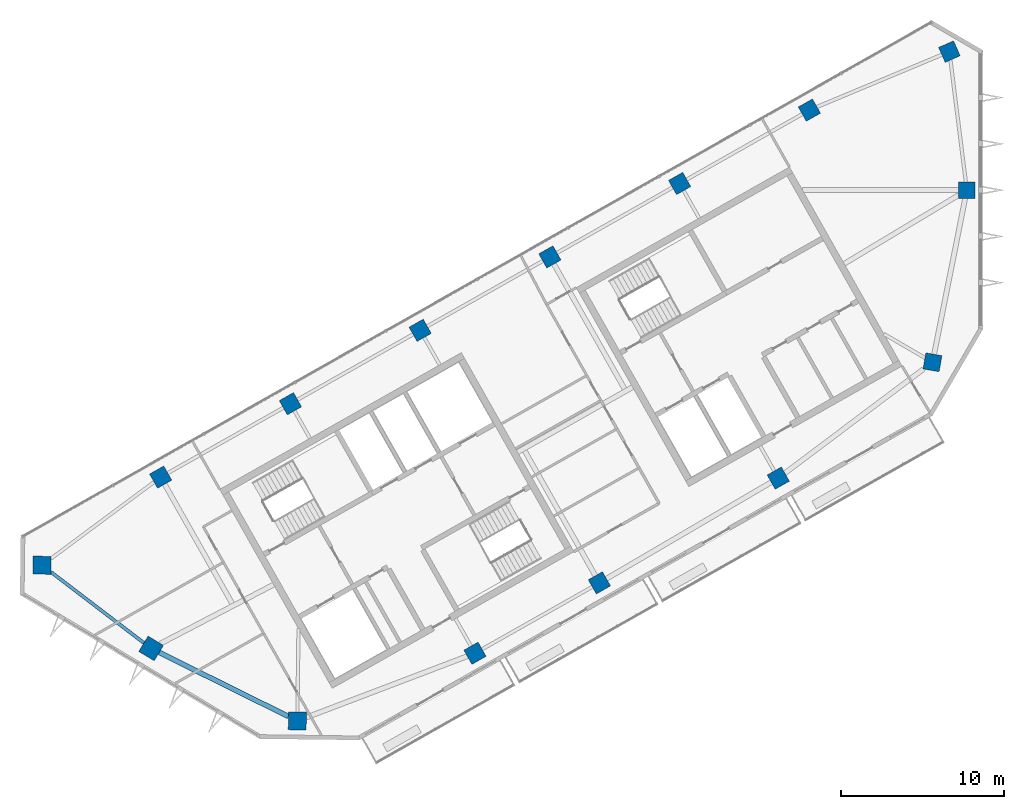
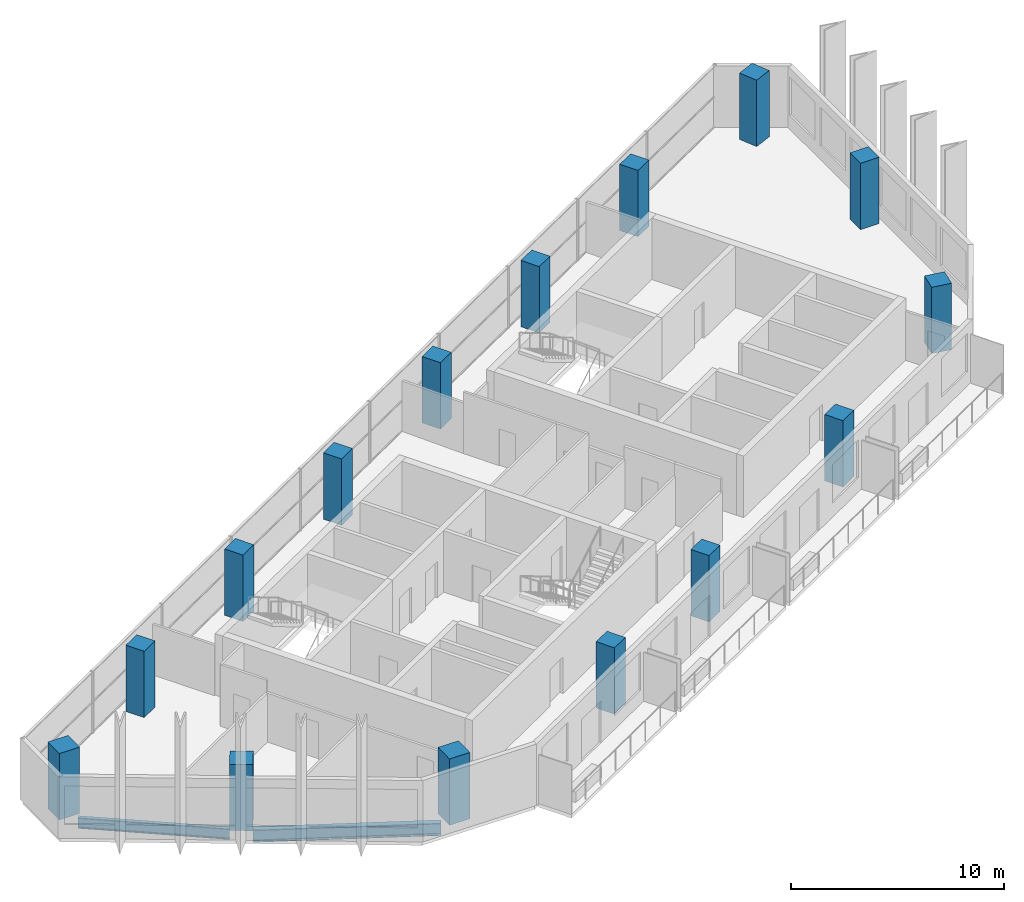
# One storey, part 1 of 10: 15 columns, 2 beams.
"""IFC4 building model written with IfcOpenShell, lengths in metres."""

from ifc_helpers import new_model, si_unit, direction, frame, origin, origin_2d, place, context, subcontext, project, spatial, rectangle, i_section, extrude, material, material_profile, profile_set, type_object, element, save


model = new_model("IFC4")

# Units and contexts
model_context = context("Model", 3, precision=1e-05, world=origin(), true_north=direction((0.0, 1.0)))
body_context = subcontext(model_context, "Body", "Model", "MODEL_VIEW")
ifc_project = project(units=[si_unit("LENGTHUNIT", "METRE"), si_unit("AREAUNIT", "SQUARE_METRE"), si_unit("VOLUMEUNIT", "CUBIC_METRE"), si_unit("PLANEANGLEUNIT", "RADIAN"), si_unit("MASSUNIT", "GRAM", prefix="KILO")], contexts=[model_context])

# Site, building, storey
site_placement = place(None, origin())
site = spatial("IfcSite", under=ifc_project, at=site_placement, CompositionType="ELEMENT")
building_placement = place(site_placement, origin())
building = spatial("IfcBuilding", under=site, at=building_placement, Name="Binnacle Exchange Tower", CompositionType="ELEMENT")
storey_placement = place(building_placement, frame((0.0, 0.0, 339.300048828125)))
storey = spatial("IfcBuildingStorey", under=building, at=storey_placement, Name="L77", CompositionType="ELEMENT", Elevation=339.300048828125)

# Columns
ifc_material_1 = material(Name="Concrete C50/60", Category="concrete")
ifc_material_profile_1 = material_profile(ifc_material_1, rectangle(XDim=1.0, YDim=1.0, at=origin_2d()), Name="Mega column 1000x1000 C50/60")
ifc_profile_set_1 = profile_set([ifc_material_profile_1], Name="Concrete C50/60")
column_type_1 = type_object("IfcColumnType", Name="Mega column 1000x1000 C50/60", PredefinedType="COLUMN", material=ifc_profile_set_1)
for number, where, z_axis, x_axis, name in (
    (1, (-10.4951171875, 64.901611328125, 0.0), (0.0, 0.0, 1.0), (-0.87035569594, -0.492423560103, 0.0), "S:COL:MC38:L77"),
    (2, (-18.44140625, 60.406005859375, 0.0), (0.0, 0.0, 1.0), (-0.87035569594, -0.492423560103, 0.0), "S:COL:MC29:L77"),
    (3, (-26.3876953125, 55.91015625, 0.0), (0.0, 0.0, 1.0), (-0.87035569594, -0.492423560103, 0.0), "S:COL:MC21:L77"),
    (4, (-34.333740234375, 51.414306640625, 0.0), (0.0, 0.0, 1.0), (-0.87035569594, -0.492423560103, 0.0), "S:COL:MC13:L77"),
    (5, (-42.280029296875, 46.918701171875, 0.0), (0.0, 0.0, 1.0), (-0.87035569594, -0.492423560103, 0.0), "S:COL:MC08:L77"),
    (6, (-50.226318359375, 42.4228515625, 0.0), (0.0, 0.0, 1.0), (-0.87035569594, -0.492423560103, 0.0), "S:COL:MC04:L77"),
    (7, (-30.9755859375, 31.63525390625, 0.0), (0.0, 0.0, 1.0), (0.87035569594, 0.492423560103, 0.0), "S:COL:MC07:L77"),
    (8, (-23.35595703125, 35.9462890625, 0.0), (0.0, 0.0, 1.0), (0.87035569594, 0.492423560103, 0.0), "S:COL:MC16:L77"),
    (9, (-2.955322265625, 49.45556640625, 0.0), (0.0, 0.0, 1.0), (-0.98522612636, 0.171258517854, 0.0), "S:COL:MC43:L77"),
    (10, (-0.85009765625, 60.0, 0.0), (0.0, 0.0, 1.0), (0.0, 1.0, 0.0), "S:COL:MC45:L77"),
    (11, (-1.920166015625, 68.4833984375, 0.0), (0.0, 0.0, 1.0), (-0.91471298536, -0.40410413808, 0.0), "S:COL:MC44:L77"),
    (12, (-12.39990234375, 42.36328125, 0.0), (0.0, 0.0, 1.0), (0.87035569594, 0.492423560103, 0.0), "S:COL:MC30:L77"),
):
    element("IfcColumn", number, at=place(storey_placement, frame(where, z_axis=z_axis, x_axis=x_axis)), inside=storey, type_object=column_type_1, Name=name, PredefinedType="COLUMN", context=body_context, shape_type="SweptSolid", body=[
        extrude(rectangle(XDim=1.0, YDim=1.0, at=origin_2d()), origin(), (0.0, 0.0, 1.0), 3.800048828125),
    ])
ifc_material_profile_2 = material_profile(ifc_material_1, rectangle(XDim=1.10009765625, YDim=1.10009765625, at=origin_2d()), Name="Mega column 1100x1100 C50/60")
ifc_profile_set_2 = profile_set([ifc_material_profile_2], Name="Concrete C50/60")
column_type_2 = type_object("IfcColumnType", Name="Mega column 1100x1100 C50/60", PredefinedType="COLUMN", material=ifc_profile_set_2)
for number, where, z_axis, x_axis, name in (
    (13, (-57.492919921875, 37.02734375, 0.0), (0.0, 0.0, 1.0), (-0.013089595571, -0.999914327574, 0.0), "S:COL:MC02:L77"),
    (14, (-50.81201171875, 31.930908203125, 0.0), (0.0, 0.0, 1.0), (0.857167300702, -0.51503807491, 0.0), "S:COL:MC01:L77"),
    (15, (-41.857666015625, 27.494873046875, 0.0), (0.0, 0.0, 1.0), (0.999914327574, -0.013089595571, 0.0), "S:COL:MC03:L77"),
):
    element("IfcColumn", number, at=place(storey_placement, frame(where, z_axis=z_axis, x_axis=x_axis)), inside=storey, type_object=column_type_2, Name=name, PredefinedType="COLUMN", context=body_context, shape_type="SweptSolid", body=[
        extrude(rectangle(XDim=1.10009765625, YDim=1.10009765625, at=origin_2d()), origin(), (0.0, 0.0, 1.0), 3.800048828125),
    ])

# Beams
ifc_material_2 = material(Name="Steel S355 (SHN355)", Category="steel")
ifc_material_profile_3 = material_profile(ifc_material_2, i_section(OverallWidth=0.199951171875, OverallDepth=0.60009765625, WebThickness=0.010986328125, FlangeThickness=0.01708984375, FilletRadius=0.02197265625, at=origin_2d()), Name="H 600x200x11x17")
ifc_profile_set_3 = profile_set([ifc_material_profile_3], Name="Steel S355 (SHN355)")
beam_type_1 = type_object("IfcBeamType", Name="Edge girder H 600x200x11x17 Steel S355 (SHN355)", PredefinedType="SPANDREL", material=ifc_profile_set_3)
beam_1_placement = place(storey_placement, frame((-56.948486328125, 36.612060546875, -0.580078125), z_axis=(0.795078805768, -0.606506135681, 0.0), x_axis=(0.606506135681, 0.795078805768, 0.0)))
element("IfcBeam", 16, at=beam_1_placement, inside=storey, type_object=beam_type_1, Name="S:BM:edge:L77:004", PredefinedType="SPANDREL", context=body_context, shape_type="SweptSolid", body=[
    extrude(i_section(OverallWidth=0.199951171875, OverallDepth=0.60009765625, WebThickness=0.010986328125, FlangeThickness=0.01708984375, FilletRadius=0.02197265625, at=origin_2d()), origin(), (0.0, 0.0, 1.0), 7.164794921875),
])
ifc_material_profile_4 = material_profile(ifc_material_2, i_section(OverallWidth=0.300048828125, OverallDepth=0.699951171875, WebThickness=0.012939453125, FlangeThickness=0.02392578125, FilletRadius=0.028076171875, at=origin_2d()), Name="H 700x300x13x24")
ifc_profile_set_4 = profile_set([ifc_material_profile_4], Name="Steel S355 (SHN355)")
beam_type_2 = type_object("IfcBeamType", Name="Edge girder H 700x300x13x24 Steel S355 (SHN355)", PredefinedType="SPANDREL", material=ifc_profile_set_4)
beam_2_placement = place(storey_placement, frame((-50.3173828125, 31.685791015625, -0.630126953125), z_axis=(0.896057836822, -0.443937330115, 0.0), x_axis=(0.443937330115, 0.896057836822, 0.0)))
element("IfcBeam", 17, at=beam_2_placement, inside=storey, type_object=beam_type_2, Name="S:BM:edge:L77:006", PredefinedType="SPANDREL", context=body_context, shape_type="SweptSolid", body=[
    extrude(i_section(OverallWidth=0.300048828125, OverallDepth=0.699951171875, WebThickness=0.012939453125, FlangeThickness=0.02392578125, FilletRadius=0.028076171875, at=origin_2d()), origin(), (0.0, 0.0, 1.0), 8.8310546875),
])

save(model, "model.ifc")
